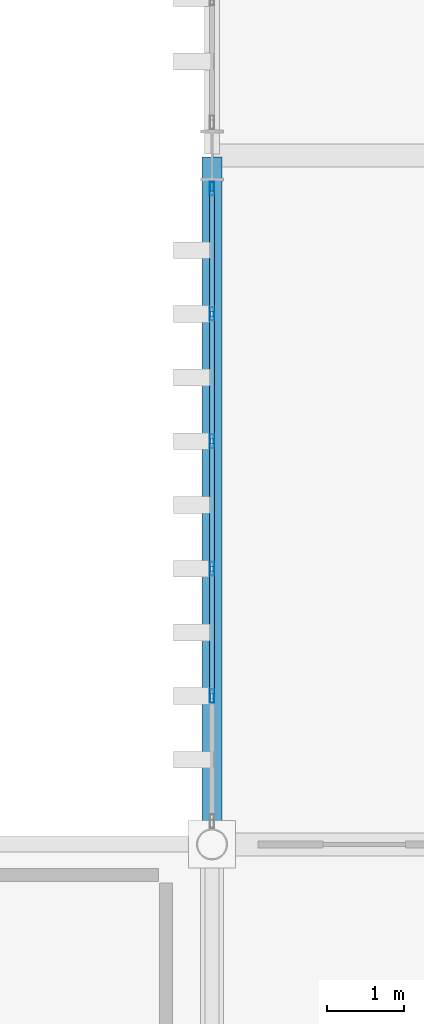
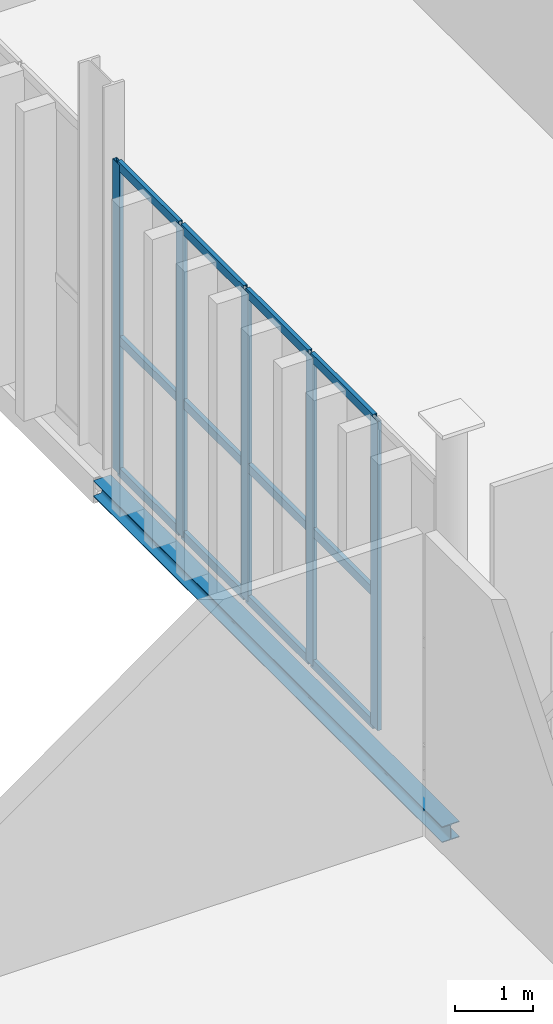
# One storey, part 100 of 237: 17 members, 1 beam, 1 element without a shape of its own.
"""IFC4 building model written with IfcOpenShell, lengths in metres."""

from ifc_helpers import new_model, si_unit, direction, frame, origin, origin_2d, place, context, subcontext, project, spatial, hollow_rectangle, i_section, extrude, material, layer, layer_set, material_profile, profile_set, type_object, element, aggregate, save


model = new_model("IFC4")

# Units and contexts
model_context = context("Model", 3, precision=1e-05, world=origin(), true_north=direction((0.0, 1.0)))
body_context = subcontext(model_context, "Body", "Model", "MODEL_VIEW")
ifc_project = project(units=[si_unit("LENGTHUNIT", "METRE"), si_unit("AREAUNIT", "SQUARE_METRE"), si_unit("VOLUMEUNIT", "CUBIC_METRE"), si_unit("PLANEANGLEUNIT", "RADIAN"), si_unit("MASSUNIT", "GRAM", prefix="KILO")], contexts=[model_context])

# Site, building, storey
site_placement = place(None, origin())
site = spatial("IfcSite", under=ifc_project, at=site_placement, CompositionType="ELEMENT")
building_placement = place(site_placement, origin())
building = spatial("IfcBuilding", under=site, at=building_placement, Name="Barlavento Convention Centre", CompositionType="ELEMENT")
storey_placement = place(building_placement, frame((0.0, 0.0, 12.0)))
storey = spatial("IfcBuildingStorey", under=building, at=storey_placement, Name="L02", CompositionType="ELEMENT", Elevation=12.0)

# Curtain wall, members
ifc_material_1 = material(Name="Powder-coated aluminium and Low-E glass", Category="aluminium")
ifc_layer = layer(ifc_material_1, 0.195068359375)
ifc_layer_set = layer_set([ifc_layer], Name="ARC-CW-BALL-L02")
curtain_wall_type = type_object("IfcCurtainWallType", Name="ARC-CW-BALL-L02", PredefinedType="NOTDEFINED", material=ifc_layer_set)
curtain_wall_placement = place(storey_placement, origin())
curtain_wall = element("IfcCurtainWall", 1, at=curtain_wall_placement, inside=storey, type_object=curtain_wall_type, Name="L02 unitised curtain wall CW07", PredefinedType="NOTDEFINED")
ifc_material_2 = material(Name="Powder-coated aluminium", Category="aluminium")
ifc_material_profile_1 = material_profile(ifc_material_2, hollow_rectangle(XDim=0.06005859375, YDim=0.179931640625, WallThickness=0.0048828125, at=origin_2d()), Name="AL-MULL 60x180x5")
ifc_profile_set_1 = profile_set([ifc_material_profile_1], Name="Powder-coated aluminium")
member_type_1 = type_object("IfcMemberType", Name="ARC-CWM-60X180", PredefinedType="MULLION", material=ifc_profile_set_1)
member_1_placement = place(storey_placement, frame((126.0, 64.937744140625, 0.0), z_axis=(0.0, 0.0, 1.0), x_axis=(-1.0, 0.0, 0.0)))
member_1 = element("IfcMember", 2, at=member_1_placement, type_object=member_type_1, Name="CW07 mullion 2", PredefinedType="MULLION", context=body_context, shape_type="SweptSolid", body=[
    extrude(hollow_rectangle(XDim=0.06005859375, YDim=0.179931640625, WallThickness=0.0048828125, at=origin_2d()), origin(), (0.0, 0.0, 1.0), 4.85009765625),
])
member_2_placement = place(storey_placement, frame((126.0, 66.602294921875, 0.0), z_axis=(0.0, 0.0, 1.0), x_axis=(-1.0, 0.0, 0.0)))
member_2 = element("IfcMember", 3, at=member_2_placement, type_object=member_type_1, Name="CW07 mullion 3", PredefinedType="MULLION", context=body_context, shape_type="SweptSolid", body=[
    extrude(hollow_rectangle(XDim=0.06005859375, YDim=0.179931640625, WallThickness=0.0048828125, at=origin_2d()), origin(), (0.0, 0.0, 1.0), 4.85009765625),
])
member_3_placement = place(storey_placement, frame((126.0, 68.266845703125, 0.0), z_axis=(0.0, 0.0, 1.0), x_axis=(-1.0, 0.0, 0.0)))
member_3 = element("IfcMember", 4, at=member_3_placement, type_object=member_type_1, Name="CW07 mullion 4", PredefinedType="MULLION", context=body_context, shape_type="SweptSolid", body=[
    extrude(hollow_rectangle(XDim=0.06005859375, YDim=0.179931640625, WallThickness=0.0048828125, at=origin_2d()), origin(), (0.0, 0.0, 1.0), 4.85009765625),
])
member_4_placement = place(storey_placement, frame((126.0, 69.931396484375, 0.0), z_axis=(0.0, 0.0, 1.0), x_axis=(-1.0, 0.0, 0.0)))
member_4 = element("IfcMember", 5, at=member_4_placement, type_object=member_type_1, Name="CW07 mullion 5", PredefinedType="MULLION", context=body_context, shape_type="SweptSolid", body=[
    extrude(hollow_rectangle(XDim=0.06005859375, YDim=0.179931640625, WallThickness=0.0048828125, at=origin_2d()), origin(), (0.0, 0.0, 1.0), 4.85009765625),
])
member_5_placement = place(storey_placement, frame((126.0, 71.56591796875, 0.0), z_axis=(0.0, 0.0, 1.0), x_axis=(-1.0, 0.0, 0.0)))
member_5 = element("IfcMember", 6, at=member_5_placement, type_object=member_type_1, Name="CW07 mullion 6", PredefinedType="MULLION", context=body_context, shape_type="SweptSolid", body=[
    extrude(hollow_rectangle(XDim=0.06005859375, YDim=0.179931640625, WallThickness=0.0048828125, at=origin_2d()), origin(), (0.0, 0.0, 1.0), 4.85009765625),
])
ifc_material_profile_2 = material_profile(ifc_material_2, hollow_rectangle(XDim=0.06005859375, YDim=0.139892578125, WallThickness=0.00390625, at=origin_2d()), Name="AL-TRAN 60x140x4")
ifc_profile_set_2 = profile_set([ifc_material_profile_2], Name="Powder-coated aluminium")
member_type_2 = type_object("IfcMemberType", Name="ARC-CWT-60X140", PredefinedType="USERDEFINED", material=ifc_profile_set_2)
member_6_placement = place(storey_placement, frame((126.0, 64.9677734375, 0.030029296875), z_axis=(0.0, 1.0, 0.0), x_axis=(-1.0, 0.0, 0.0)))
member_6 = element("IfcMember", 7, at=member_6_placement, type_object=member_type_2, Name="CW07 transom 2.1", ObjectType="TRANSOM", PredefinedType="USERDEFINED", context=body_context, shape_type="SweptSolid", body=[
    extrude(hollow_rectangle(XDim=0.06005859375, YDim=0.139892578125, WallThickness=0.00390625, at=origin_2d()), origin(), (0.0, 0.0, 1.0), 1.6044921875),
])
member_7_placement = place(storey_placement, frame((126.0, 64.9677734375, 2.10009765625), z_axis=(0.0, 1.0, 0.0), x_axis=(-1.0, 0.0, 0.0)))
member_7 = element("IfcMember", 8, at=member_7_placement, type_object=member_type_2, Name="CW07 transom 2.2", ObjectType="TRANSOM", PredefinedType="USERDEFINED", context=body_context, shape_type="SweptSolid", body=[
    extrude(hollow_rectangle(XDim=0.06005859375, YDim=0.139892578125, WallThickness=0.00390625, at=origin_2d()), origin(), (0.0, 0.0, 1.0), 1.6044921875),
])
member_8_placement = place(storey_placement, frame((126.0, 64.9677734375, 4.820068359375), z_axis=(0.0, 1.0, 0.0), x_axis=(-1.0, 0.0, 0.0)))
member_8 = element("IfcMember", 9, at=member_8_placement, type_object=member_type_2, Name="CW07 transom 2.3", ObjectType="TRANSOM", PredefinedType="USERDEFINED", context=body_context, shape_type="SweptSolid", body=[
    extrude(hollow_rectangle(XDim=0.06005859375, YDim=0.139892578125, WallThickness=0.00390625, at=origin_2d()), origin(), (0.0, 0.0, 1.0), 1.6044921875),
])
member_9_placement = place(storey_placement, frame((126.0, 66.63232421875, 0.030029296875), z_axis=(0.0, 1.0, 0.0), x_axis=(-1.0, 0.0, 0.0)))
member_9 = element("IfcMember", 10, at=member_9_placement, type_object=member_type_2, Name="CW07 transom 3.1", ObjectType="TRANSOM", PredefinedType="USERDEFINED", context=body_context, shape_type="SweptSolid", body=[
    extrude(hollow_rectangle(XDim=0.06005859375, YDim=0.139892578125, WallThickness=0.00390625, at=origin_2d()), origin(), (0.0, 0.0, 1.0), 1.6044921875),
])
member_10_placement = place(storey_placement, frame((126.0, 66.63232421875, 2.10009765625), z_axis=(0.0, 1.0, 0.0), x_axis=(-1.0, 0.0, 0.0)))
member_10 = element("IfcMember", 11, at=member_10_placement, type_object=member_type_2, Name="CW07 transom 3.2", ObjectType="TRANSOM", PredefinedType="USERDEFINED", context=body_context, shape_type="SweptSolid", body=[
    extrude(hollow_rectangle(XDim=0.06005859375, YDim=0.139892578125, WallThickness=0.00390625, at=origin_2d()), origin(), (0.0, 0.0, 1.0), 1.6044921875),
])
member_11_placement = place(storey_placement, frame((126.0, 66.63232421875, 4.820068359375), z_axis=(0.0, 1.0, 0.0), x_axis=(-1.0, 0.0, 0.0)))
member_11 = element("IfcMember", 12, at=member_11_placement, type_object=member_type_2, Name="CW07 transom 3.3", ObjectType="TRANSOM", PredefinedType="USERDEFINED", context=body_context, shape_type="SweptSolid", body=[
    extrude(hollow_rectangle(XDim=0.06005859375, YDim=0.139892578125, WallThickness=0.00390625, at=origin_2d()), origin(), (0.0, 0.0, 1.0), 1.6044921875),
])
member_12_placement = place(storey_placement, frame((126.0, 68.296875, 0.030029296875), z_axis=(0.0, 1.0, 0.0), x_axis=(-1.0, 0.0, 0.0)))
member_12 = element("IfcMember", 13, at=member_12_placement, type_object=member_type_2, Name="CW07 transom 4.1", ObjectType="TRANSOM", PredefinedType="USERDEFINED", context=body_context, shape_type="SweptSolid", body=[
    extrude(hollow_rectangle(XDim=0.06005859375, YDim=0.139892578125, WallThickness=0.00390625, at=origin_2d()), origin(), (0.0, 0.0, 1.0), 1.6044921875),
])
member_13_placement = place(storey_placement, frame((126.0, 68.296875, 2.10009765625), z_axis=(0.0, 1.0, 0.0), x_axis=(-1.0, 0.0, 0.0)))
member_13 = element("IfcMember", 14, at=member_13_placement, type_object=member_type_2, Name="CW07 transom 4.2", ObjectType="TRANSOM", PredefinedType="USERDEFINED", context=body_context, shape_type="SweptSolid", body=[
    extrude(hollow_rectangle(XDim=0.06005859375, YDim=0.139892578125, WallThickness=0.00390625, at=origin_2d()), origin(), (0.0, 0.0, 1.0), 1.6044921875),
])
member_14_placement = place(storey_placement, frame((126.0, 68.296875, 4.820068359375), z_axis=(0.0, 1.0, 0.0), x_axis=(-1.0, 0.0, 0.0)))
member_14 = element("IfcMember", 15, at=member_14_placement, type_object=member_type_2, Name="CW07 transom 4.3", ObjectType="TRANSOM", PredefinedType="USERDEFINED", context=body_context, shape_type="SweptSolid", body=[
    extrude(hollow_rectangle(XDim=0.06005859375, YDim=0.139892578125, WallThickness=0.00390625, at=origin_2d()), origin(), (0.0, 0.0, 1.0), 1.6044921875),
])
member_15_placement = place(storey_placement, frame((126.0, 69.96142578125, 0.030029296875), z_axis=(0.0, 1.0, 0.0), x_axis=(-1.0, 0.0, 0.0)))
member_15 = element("IfcMember", 16, at=member_15_placement, type_object=member_type_2, Name="CW07 transom 5.1", ObjectType="TRANSOM", PredefinedType="USERDEFINED", context=body_context, shape_type="SweptSolid", body=[
    extrude(hollow_rectangle(XDim=0.06005859375, YDim=0.139892578125, WallThickness=0.00390625, at=origin_2d()), origin(), (0.0, 0.0, 1.0), 1.574462890625),
])
member_16_placement = place(storey_placement, frame((126.0, 69.96142578125, 2.10009765625), z_axis=(0.0, 1.0, 0.0), x_axis=(-1.0, 0.0, 0.0)))
member_16 = element("IfcMember", 17, at=member_16_placement, type_object=member_type_2, Name="CW07 transom 5.2", ObjectType="TRANSOM", PredefinedType="USERDEFINED", context=body_context, shape_type="SweptSolid", body=[
    extrude(hollow_rectangle(XDim=0.06005859375, YDim=0.139892578125, WallThickness=0.00390625, at=origin_2d()), origin(), (0.0, 0.0, 1.0), 1.574462890625),
])
member_17_placement = place(storey_placement, frame((126.0, 69.96142578125, 4.820068359375), z_axis=(0.0, 1.0, 0.0), x_axis=(-1.0, 0.0, 0.0)))
member_17 = element("IfcMember", 18, at=member_17_placement, type_object=member_type_2, Name="CW07 transom 5.3", ObjectType="TRANSOM", PredefinedType="USERDEFINED", context=body_context, shape_type="SweptSolid", body=[
    extrude(hollow_rectangle(XDim=0.06005859375, YDim=0.139892578125, WallThickness=0.00390625, at=origin_2d()), origin(), (0.0, 0.0, 1.0), 1.574462890625),
])
aggregate(curtain_wall, [member_1, member_2, member_3, member_4, member_5, member_6, member_7, member_8, member_9, member_10, member_11, member_12, member_13, member_14, member_15, member_16, member_17])

# Beam
ifc_material_3 = material(Name="Steel S355", Category="steel")
ifc_material_profile_3 = material_profile(ifc_material_3, i_section(OverallWidth=0.260009765625, OverallDepth=0.25, WebThickness=0.007568359375, FlangeThickness=0.012451171875, FilletRadius=0.02392578125, at=origin_2d()), Name="HEA 260")
ifc_profile_set_3 = profile_set([ifc_material_profile_3], Name="Steel S355")
beam_type = type_object("IfcBeamType", Name="STR-BM-SPN-HEA260", PredefinedType="SPANDREL", material=ifc_profile_set_3)
beam_placement = place(storey_placement, frame((126.0, 63.02001953125, -0.485107421875), z_axis=(0.0, 1.0, 0.0), x_axis=(-1.0, 0.0, 0.0)))
element("IfcBeam", 19, at=beam_placement, inside=storey, type_object=beam_type, Name="L02 grid girder SP04", PredefinedType="SPANDREL", context=body_context, shape_type="SweptSolid", body=[
    extrude(i_section(OverallWidth=0.260009765625, OverallDepth=0.25, WebThickness=0.007568359375, FlangeThickness=0.012451171875, FilletRadius=0.02392578125, at=origin_2d()), origin(), (0.0, 0.0, 1.0), 8.9599609375),
])

save(model, "model.ifc")
